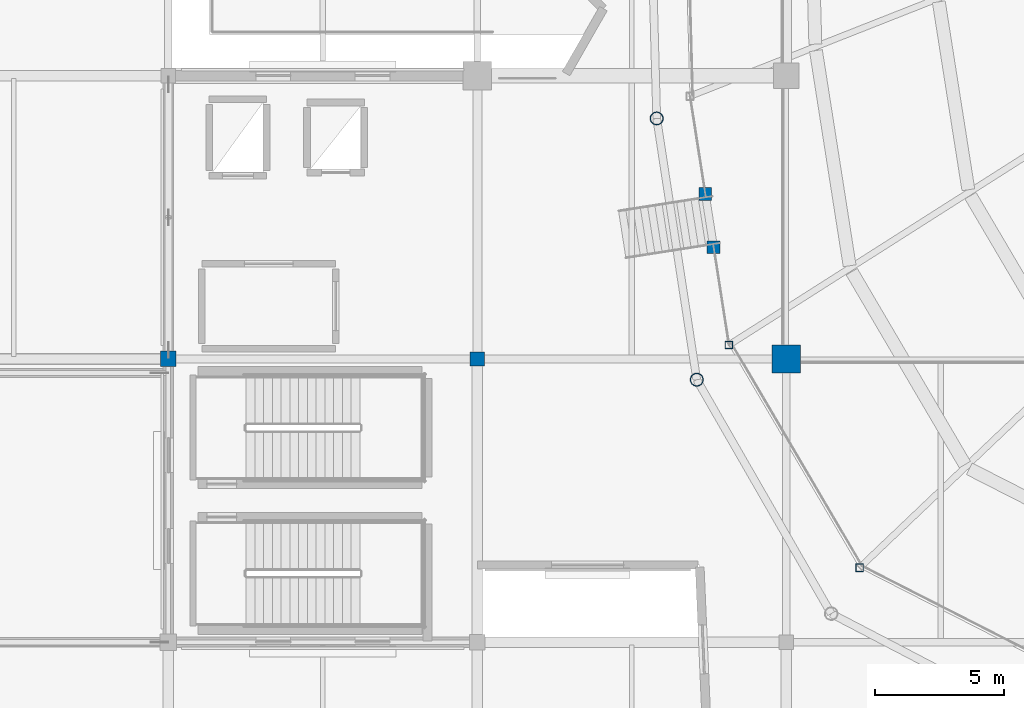
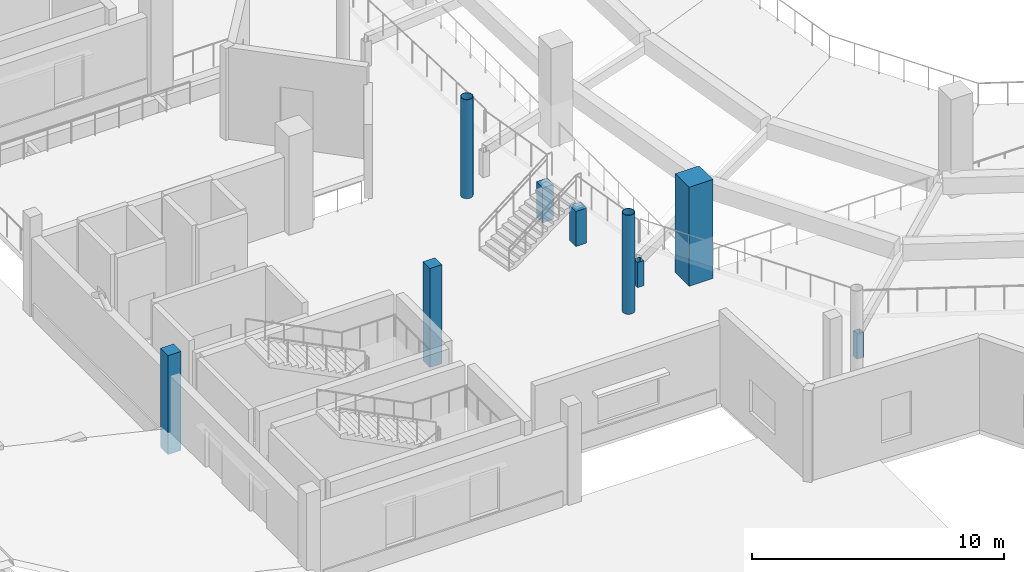
# One storey, part 2 of 77: 9 columns.
"""IFC4 building model written with IfcOpenShell, lengths in metres."""

from ifc_helpers import new_model, si_unit, direction, frame, origin, origin_2d, place, context, subcontext, project, spatial, rectangle, hollow_rectangle, hollow_circle, extrude, material, material_profile, profile_set, type_object, element, save


model = new_model("IFC4")

# Units and contexts
model_context = context("Model", 3, precision=1e-05, world=origin(), true_north=direction((0.0, 1.0)))
body_context = subcontext(model_context, "Body", "Model", "MODEL_VIEW")
ifc_project = project(units=[si_unit("LENGTHUNIT", "METRE"), si_unit("AREAUNIT", "SQUARE_METRE"), si_unit("VOLUMEUNIT", "CUBIC_METRE"), si_unit("PLANEANGLEUNIT", "RADIAN"), si_unit("MASSUNIT", "GRAM", prefix="KILO")], contexts=[model_context])

# Site, building, storey
site_placement = place(None, origin())
site = spatial("IfcSite", under=ifc_project, at=site_placement, CompositionType="ELEMENT")
building_placement = place(site_placement, origin())
building = spatial("IfcBuilding", under=site, at=building_placement, Name="Luwafu Chhajja Arena", CompositionType="ELEMENT")
storey_placement = place(building_placement, frame((0.0, 0.0, 14.699951171875)))
storey = spatial("IfcBuildingStorey", under=building, at=storey_placement, Name="L03", CompositionType="ELEMENT", Elevation=14.699951171875)

# Columns
ifc_material_1 = material(Name="Concrete C40/50", Category="concrete")
ifc_material_profile_1 = material_profile(ifc_material_1, rectangle(XDim=1.10009765625, YDim=1.10009765625, at=origin_2d()), Name="RC 1100x1100")
ifc_profile_set_1 = profile_set([ifc_material_profile_1], Name="Concrete C40/50")
column_type_1 = type_object("IfcColumnType", Name="Bowl Rim Mega Column RC 1100", PredefinedType="COLUMN", material=ifc_profile_set_1)
column_1_placement = place(storey_placement, frame((58.0, 22.0, 0.0), z_axis=(0.0, 0.0, 1.0), x_axis=(1.0, 0.0, 0.0)))
element("IfcColumn", 1, at=column_1_placement, inside=storey, type_object=column_type_1, Name="L03 Grid Column 6/C", PredefinedType="COLUMN", context=body_context, shape_type="SweptSolid", body=[
    extrude(rectangle(XDim=1.10009765625, YDim=1.10009765625, at=origin_2d()), origin(), (0.0, 0.0, 1.0), 4.800048828125),
])
ifc_material_2 = material(Name="Concrete C35/45", Category="concrete")
ifc_material_profile_2 = material_profile(ifc_material_2, rectangle(XDim=0.550048828125, YDim=0.550048828125, at=origin_2d()), Name="RC 550x550")
ifc_profile_set_2 = profile_set([ifc_material_profile_2], Name="Concrete C35/45")
column_type_2 = type_object("IfcColumnType", Name="Gallery Column RC 550", PredefinedType="COLUMN", material=ifc_profile_set_2)
column_2_placement = place(storey_placement, frame((46.0, 22.0, 0.0), z_axis=(0.0, 0.0, 1.0), x_axis=(1.0, 0.0, 0.0)))
element("IfcColumn", 2, at=column_2_placement, inside=storey, type_object=column_type_2, Name="L03 Grid Column 5/C", PredefinedType="COLUMN", context=body_context, shape_type="SweptSolid", body=[
    extrude(rectangle(XDim=0.550048828125, YDim=0.550048828125, at=origin_2d()), origin(), (0.0, 0.0, 1.0), 4.800048828125),
])
ifc_material_profile_3 = material_profile(ifc_material_2, rectangle(XDim=0.60009765625, YDim=0.60009765625, at=origin_2d()), Name="RC 600x600")
ifc_profile_set_3 = profile_set([ifc_material_profile_3], Name="Concrete C35/45")
column_type_3 = type_object("IfcColumnType", Name="Mezzanine Column RC 600", PredefinedType="COLUMN", material=ifc_profile_set_3)
column_3_placement = place(storey_placement, frame((34.0, 22.0, 0.0), z_axis=(0.0, 0.0, 1.0), x_axis=(1.0, 0.0, 0.0)))
element("IfcColumn", 3, at=column_3_placement, inside=storey, type_object=column_type_3, Name="L03 Grid Column 4/C", PredefinedType="COLUMN", context=body_context, shape_type="SweptSolid", body=[
    extrude(rectangle(XDim=0.60009765625, YDim=0.60009765625, at=origin_2d()), origin(), (0.0, 0.0, 1.0), 4.800048828125),
])
ifc_material_profile_4 = material_profile(ifc_material_2, rectangle(XDim=0.5, YDim=0.5, at=origin_2d()), Name="RC 500x500")
ifc_profile_set_4 = profile_set([ifc_material_profile_4], Name="Concrete C35/45")
column_type_4 = type_object("IfcColumnType", Name="Pavilion Column RC 500", PredefinedType="COLUMN", material=ifc_profile_set_4)
for number, where, z_axis, x_axis, name in (
    (4, (54.854248046875, 28.41015625, 0.0), (0.0, 0.0, 1.0), (1.0, 0.0, 0.0), "L03 Vomitory Header Column VU19A"),
    (5, (55.178955078125, 26.33544921875, 0.0), (0.0, 0.0, 1.0), (1.0, 0.0, 0.0), "L03 Vomitory Header Column VU19B"),
):
    element("IfcColumn", number, at=place(storey_placement, frame(where, z_axis=z_axis, x_axis=x_axis)), inside=storey, type_object=column_type_4, Name=name, PredefinedType="COLUMN", context=body_context, shape_type="SweptSolid", body=[
        extrude(rectangle(XDim=0.5, YDim=0.5, at=origin_2d()), origin(), (0.0, 0.0, 1.0), 1.699951171875),
    ])
ifc_material_3 = material(Name="Steel S355", Category="steel")
ifc_material_profile_5 = material_profile(ifc_material_3, hollow_rectangle(XDim=0.300048828125, YDim=0.300048828125, WallThickness=0.01611328125, at=origin_2d()), Name="SHS 300x300x16")
ifc_profile_set_5 = profile_set([ifc_material_profile_5], Name="Steel S355")
column_type_5 = type_object("IfcColumnType", Name="Steel Gallery Post SHS 300", PredefinedType="COLUMN", material=ifc_profile_set_5)
for number, where, z_axis, x_axis, name in (
    (6, (55.772705078125, 22.5419921875, 0.0), (0.0, 0.0, 1.0), (1.0, 0.0, 0.0), "L03 Upper Raker Rear Post 20"),
    (7, (60.84619140625, 13.8896484375, 0.0), (0.0, 0.0, 1.0), (1.0, 0.0, 0.0), "L03 Upper Raker Rear Post 21"),
):
    element("IfcColumn", number, at=place(storey_placement, frame(where, z_axis=z_axis, x_axis=x_axis)), inside=storey, type_object=column_type_5, Name=name, PredefinedType="COLUMN", context=body_context, shape_type="SweptSolid", body=[
        extrude(hollow_rectangle(XDim=0.300048828125, YDim=0.300048828125, WallThickness=0.01611328125, at=origin_2d()), origin(), (0.0, 0.0, 1.0), 1.219970703125),
    ])
ifc_material_profile_6 = material_profile(ifc_material_3, hollow_circle(Radius=0.25390625, WallThickness=0.02001953125, at=origin_2d()), Name="CHS 508x20")
ifc_profile_set_6 = profile_set([ifc_material_profile_6], Name="Steel S355")
column_type_6 = type_object("IfcColumnType", Name="Steel Upper Drum Column CHS 508", PredefinedType="COLUMN", material=ifc_profile_set_6)
for number, where, z_axis, x_axis, name in (
    (8, (52.968017578125, 31.3388671875, 0.0), (0.0, 0.0, 1.0), (1.0, 0.0, 0.0), "L03 Bowl Drum Column D19"),
    (9, (54.52392578125, 21.194091796875, 0.0), (0.0, 0.0, 1.0), (1.0, 0.0, 0.0), "L03 Bowl Drum Column D20"),
):
    element("IfcColumn", number, at=place(storey_placement, frame(where, z_axis=z_axis, x_axis=x_axis)), inside=storey, type_object=column_type_6, Name=name, PredefinedType="COLUMN", context=body_context, shape_type="SweptSolid", body=[
        extrude(hollow_circle(Radius=0.25390625, WallThickness=0.02001953125, at=origin_2d()), origin(), (0.0, 0.0, 1.0), 4.800048828125),
    ])

save(model, "model.ifc")
